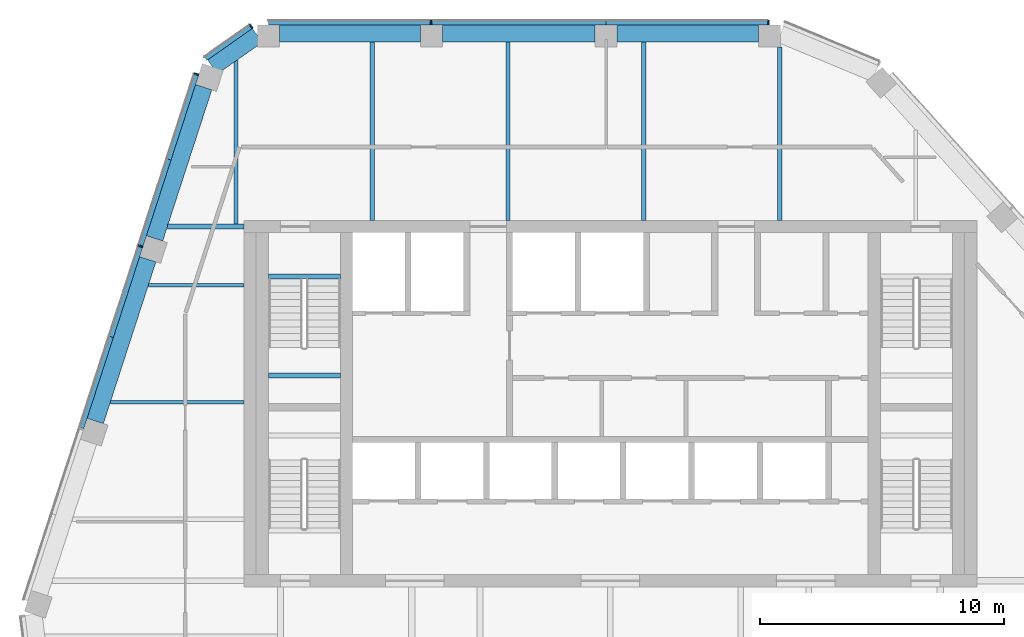
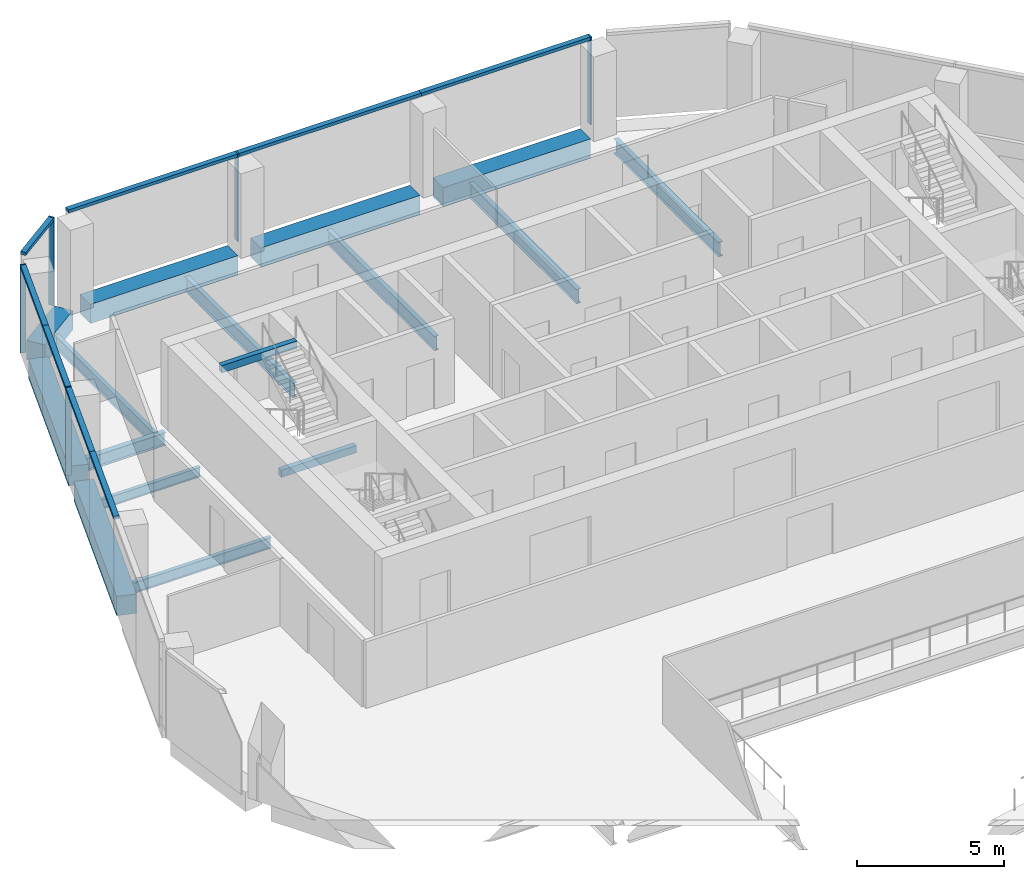
# One storey, part 5 of 15: 16 beams, 13 members, 3 elements without a shape of their own.
"""IFC4 building model written with IfcOpenShell, lengths in metres."""

from ifc_helpers import new_model, si_unit, direction, frame, origin, origin_2d, place, context, subcontext, project, spatial, rectangle, i_section, extrude, material, layer, layer_set, material_profile, profile_set, type_object, element, aggregate, save


model = new_model("IFC4")

# Units and contexts
model_context = context("Model", 3, precision=1e-05, world=origin(), true_north=direction((0.0, 1.0)))
body_context = subcontext(model_context, "Body", "Model", "MODEL_VIEW")
ifc_project = project(units=[si_unit("LENGTHUNIT", "METRE"), si_unit("AREAUNIT", "SQUARE_METRE"), si_unit("VOLUMEUNIT", "CUBIC_METRE"), si_unit("PLANEANGLEUNIT", "RADIAN"), si_unit("MASSUNIT", "GRAM", prefix="KILO")], contexts=[model_context])

# Site, building, storey
site_placement = place(None, origin())
site = spatial("IfcSite", under=ifc_project, at=site_placement, CompositionType="ELEMENT")
building_placement = place(site_placement, origin())
building = spatial("IfcBuilding", under=site, at=building_placement, Name="Isthmus Gate Tower", CompositionType="ELEMENT")
storey_placement = place(building_placement, frame((0.0, 0.0, 268.25)))
storey = spatial("IfcBuildingStorey", under=building, at=storey_placement, Name="L68", CompositionType="ELEMENT", Elevation=268.25)

# Curtain wall, members
ifc_material_1 = material(Name="Aluminium, pale champagne anodised", Category="aluminium")
ifc_layer = layer(ifc_material_1, 0.199951171875)
ifc_layer_set = layer_set([ifc_layer], Name="CW-1 UNITISED CURTAIN WALL 200 DEEP")
curtain_wall_type = type_object("IfcCurtainWallType", Name="CW-1 UNITISED CURTAIN WALL 200 DEEP", PredefinedType="NOTDEFINED", material=ifc_layer_set)
curtain_wall_1_placement = place(storey_placement, origin())
curtain_wall_1 = element("IfcCurtainWall", 1, at=curtain_wall_1_placement, inside=storey, type_object=curtain_wall_type, Name="CW-1 N L68", PredefinedType="NOTDEFINED")
ifc_material_2 = material(Name="Aluminium, pale champagne anodised", Category="aluminium")
ifc_material_profile_1 = material_profile(ifc_material_2, rectangle(XDim=0.06005859375, YDim=0.199951171875, at=origin_2d()), Name="60x200")
ifc_profile_set_1 = profile_set([ifc_material_profile_1], Name="Aluminium, pale champagne anodised")
member_type_1 = type_object("IfcMemberType", Name="CW-1 MULLION 60 X 200", PredefinedType="MULLION", material=ifc_profile_set_1)
member_1_placement = place(storey_placement, frame((6.4794921875, 23.10009765625, 0.0), z_axis=(0.0, 0.0, 1.0), x_axis=(-1.0, 0.0, 0.0)))
member_1 = element("IfcMember", 2, at=member_1_placement, type_object=member_type_1, Name="CW-1 mullion", PredefinedType="MULLION", context=body_context, shape_type="SweptSolid", body=[
    extrude(rectangle(XDim=0.06005859375, YDim=0.199951171875, at=origin_2d()), origin(), (0.0, 0.0, 1.0), 3.64990234375),
])
member_2_placement = place(storey_placement, frame((-7.339599609375, 23.10009765625, 0.0), z_axis=(0.0, 0.0, 1.0), x_axis=(-1.0, 0.0, 0.0)))
member_2 = element("IfcMember", 3, at=member_2_placement, type_object=member_type_1, Name="CW-1 mullion", PredefinedType="MULLION", context=body_context, shape_type="SweptSolid", body=[
    extrude(rectangle(XDim=0.06005859375, YDim=0.199951171875, at=origin_2d()), origin(), (0.0, 0.0, 1.0), 3.64990234375),
])

# Curtain wall, member
curtain_wall_2_placement = place(storey_placement, origin())
curtain_wall_2 = element("IfcCurtainWall", 4, at=curtain_wall_2_placement, inside=storey, type_object=curtain_wall_type, Name="CW-1 N-NW L68", PredefinedType="NOTDEFINED")
member_3_placement = place(storey_placement, frame((-14.69873046875, 22.943115234375, 0.0), z_axis=(0.0, 0.0, 1.0), x_axis=(-0.81785959165, -0.57541783805, 0.0)))
member_3 = element("IfcMember", 5, at=member_3_placement, type_object=member_type_1, Name="CW-1 mullion", PredefinedType="MULLION", context=body_context, shape_type="SweptSolid", body=[
    extrude(rectangle(XDim=0.06005859375, YDim=0.199951171875, at=origin_2d()), origin(), (0.0, 0.0, 1.0), 3.64990234375),
])

# Curtain wall, members
curtain_wall_3_placement = place(storey_placement, origin())
curtain_wall_3 = element("IfcCurtainWall", 6, at=curtain_wall_3_placement, inside=storey, type_object=curtain_wall_type, Name="CW-1 NW L68", PredefinedType="NOTDEFINED")
member_4_placement = place(storey_placement, frame((-16.9404296875, 20.9892578125, 0.0), z_axis=(0.0, 0.0, 1.0), x_axis=(-0.309016994375, -0.951056516295, 0.0)))
member_4 = element("IfcMember", 7, at=member_4_placement, type_object=member_type_1, Name="CW-1 mullion", PredefinedType="MULLION", context=body_context, shape_type="SweptSolid", body=[
    extrude(rectangle(XDim=0.06005859375, YDim=0.199951171875, at=origin_2d()), origin(), (0.0, 0.0, 1.0), 3.64990234375),
])
member_5_placement = place(storey_placement, frame((-19.229248046875, 13.945068359375, 0.0), z_axis=(0.0, 0.0, 1.0), x_axis=(-0.309016994375, -0.951056516295, 0.0)))
member_5 = element("IfcMember", 8, at=member_5_placement, type_object=member_type_1, Name="CW-1 mullion", PredefinedType="MULLION", context=body_context, shape_type="SweptSolid", body=[
    extrude(rectangle(XDim=0.06005859375, YDim=0.199951171875, at=origin_2d()), origin(), (0.0, 0.0, 1.0), 3.64990234375),
])

# Member
ifc_material_3 = material(Name="Aluminium, pale champagne anodised", Category="aluminium")
ifc_material_profile_2 = material_profile(ifc_material_3, rectangle(XDim=0.199951171875, YDim=0.1298828125, at=origin_2d()), Name="200x130")
ifc_profile_set_2 = profile_set([ifc_material_profile_2], Name="Aluminium, pale champagne anodised")
member_type_2 = type_object("IfcMemberType", Name="CW-1 TRANSOM 200 X 130", PredefinedType="USERDEFINED", material=ifc_profile_set_2)
member_6_placement = place(storey_placement, frame((6.449462890625, 23.10009765625, 3.5849609375), z_axis=(-1.0, 0.0, 0.0), x_axis=(0.0, -1.0, 0.0)))
member_6 = element("IfcMember", 9, at=member_6_placement, type_object=member_type_2, Name="CW-1 transom", ObjectType="TRANSOM", PredefinedType="USERDEFINED", context=body_context, shape_type="SweptSolid", body=[
    extrude(rectangle(XDim=0.199951171875, YDim=0.1298828125, at=origin_2d()), origin(), (0.0, 0.0, 1.0), 6.62451171875),
])

member_7_placement = place(storey_placement, frame((-0.175048828125, 23.10009765625, 3.5849609375), z_axis=(-1.0, 0.0, 0.0), x_axis=(0.0, -1.0, 0.0)))
member_7 = element("IfcMember", 10, at=member_7_placement, type_object=member_type_2, Name="CW-1 transom", ObjectType="TRANSOM", PredefinedType="USERDEFINED", context=body_context, shape_type="SweptSolid", body=[
    extrude(rectangle(XDim=0.199951171875, YDim=0.1298828125, at=origin_2d()), origin(), (0.0, 0.0, 1.0), 7.134521484375),
])

member_8_placement = place(storey_placement, frame((-7.36962890625, 23.10009765625, 3.5849609375), z_axis=(-1.0, 0.0, 0.0), x_axis=(0.0, -1.0, 0.0)))
member_8 = element("IfcMember", 11, at=member_8_placement, type_object=member_type_2, Name="CW-1 transom", ObjectType="TRANSOM", PredefinedType="USERDEFINED", context=body_context, shape_type="SweptSolid", body=[
    extrude(rectangle(XDim=0.199951171875, YDim=0.1298828125, at=origin_2d()), origin(), (0.0, 0.0, 1.0), 6.62451171875),
])

aggregate(curtain_wall_1, [member_1, member_6, member_7, member_2, member_8])

member_9_placement = place(storey_placement, frame((-14.723388671875, 22.92578125, 3.5849609375), z_axis=(-0.817868595604, -0.575405040233, 0.0), x_axis=(0.575405040233, -0.817868595604, 0.0)))
member_9 = element("IfcMember", 12, at=member_9_placement, type_object=member_type_2, Name="CW-1 transom", ObjectType="TRANSOM", PredefinedType="USERDEFINED", context=body_context, shape_type="SweptSolid", body=[
    extrude(rectangle(XDim=0.199951171875, YDim=0.1298828125, at=origin_2d()), origin(), (0.0, 0.0, 1.0), 2.258544921875),
])

aggregate(curtain_wall_2, [member_3, member_9])

member_10_placement = place(storey_placement, frame((-16.94970703125, 20.960693359375, 3.5849609375), z_axis=(-0.30904213216, -0.951048348166, 0.0), x_axis=(0.951048348166, -0.30904213216, 0.0)))
member_10 = element("IfcMember", 13, at=member_10_placement, type_object=member_type_2, Name="CW-1 transom", ObjectType="TRANSOM", PredefinedType="USERDEFINED", context=body_context, shape_type="SweptSolid", body=[
    extrude(rectangle(XDim=0.199951171875, YDim=0.1298828125, at=origin_2d()), origin(), (0.0, 0.0, 1.0), 3.6435546875),
])

member_11_placement = place(storey_placement, frame((-18.07568359375, 17.49560546875, 3.5849609375), z_axis=(-0.308999609488, -0.951062164812, 0.0), x_axis=(0.951062164812, -0.308999609488, 0.0)))
member_11 = element("IfcMember", 14, at=member_11_placement, type_object=member_type_2, Name="CW-1 transom", ObjectType="TRANSOM", PredefinedType="USERDEFINED", context=body_context, shape_type="SweptSolid", body=[
    extrude(rectangle(XDim=0.199951171875, YDim=0.1298828125, at=origin_2d()), origin(), (0.0, 0.0, 1.0), 3.703125),
])

member_12_placement = place(storey_placement, frame((-19.238525390625, 13.91650390625, 3.5849609375), z_axis=(-0.309061811928, -0.951041953022, 0.0), x_axis=(0.951041953022, -0.309061811928, 0.0)))
member_12 = element("IfcMember", 15, at=member_12_placement, type_object=member_type_2, Name="CW-1 transom", ObjectType="TRANSOM", PredefinedType="USERDEFINED", context=body_context, shape_type="SweptSolid", body=[
    extrude(rectangle(XDim=0.199951171875, YDim=0.1298828125, at=origin_2d()), origin(), (0.0, 0.0, 1.0), 3.868408203125),
])

member_13_placement = place(storey_placement, frame((-20.43408203125, 10.237548828125, 3.5849609375), z_axis=(-0.308984896154, -0.951066945041, 0.0), x_axis=(0.951066945041, -0.308984896154, 0.0)))
member_13 = element("IfcMember", 16, at=member_13_placement, type_object=member_type_2, Name="CW-1 transom", ObjectType="TRANSOM", PredefinedType="USERDEFINED", context=body_context, shape_type="SweptSolid", body=[
    extrude(rectangle(XDim=0.199951171875, YDim=0.1298828125, at=origin_2d()), origin(), (0.0, 0.0, 1.0), 3.928466796875),
])

aggregate(curtain_wall_3, [member_4, member_10, member_11, member_5, member_12, member_13])

# Beams
ifc_material_4 = material(Name="Concrete f'c 50 MPa", Category="concrete")
ifc_material_profile_3 = material_profile(ifc_material_4, rectangle(XDim=0.699951171875, YDim=0.800048828125, at=origin_2d()), Name="RC 700X800")
ifc_profile_set_3 = profile_set([ifc_material_profile_3], Name="Concrete f'c 50 MPa")
beam_type_1 = type_object("IfcBeamType", Name="RC SPANDREL 700 X 800", PredefinedType="SPANDREL", material=ifc_profile_set_3)
beam_1_placement = place(storey_placement, frame((-21.080810546875, 6.790283203125, -0.39990234375), z_axis=(0.309006716915, 0.951059855583, 0.0), x_axis=(-0.951059855583, 0.309006716915, 0.0)))
element("IfcBeam", 17, at=beam_1_placement, inside=storey, type_object=beam_type_1, Name="str-spandrel-L68-18", PredefinedType="SPANDREL", context=body_context, shape_type="SweptSolid", body=[
    extrude(rectangle(XDim=0.699951171875, YDim=0.800048828125, at=origin_2d()), origin(), (0.0, 0.0, 1.0), 6.956787109375),
])
beam_2_placement = place(storey_placement, frame((-18.653076171875, 14.262451171875, -0.39990234375), z_axis=(0.30901480678, 0.951057227085, 0.0), x_axis=(-0.951057227085, 0.30901480678, 0.0)))
element("IfcBeam", 18, at=beam_2_placement, inside=storey, type_object=beam_type_1, Name="str-spandrel-L68-19", PredefinedType="SPANDREL", context=body_context, shape_type="SweptSolid", body=[
    extrude(rectangle(XDim=0.699951171875, YDim=0.800048828125, at=origin_2d()), origin(), (0.0, 0.0, 1.0), 6.5068359375),
])
beam_3_placement = place(storey_placement, frame((-16.281005859375, 21.27978515625, -0.39990234375), z_axis=(0.817891678431, 0.57537222939, 0.0), x_axis=(-0.57537222939, 0.817891678431, 0.0)))
element("IfcBeam", 19, at=beam_3_placement, inside=storey, type_object=beam_type_1, Name="str-spandrel-L68-20", PredefinedType="SPANDREL", context=body_context, shape_type="SweptSolid", body=[
    extrude(rectangle(XDim=0.699951171875, YDim=0.800048828125, at=origin_2d()), origin(), (0.0, 0.0, 1.0), 2.245849609375),
])
beam_4_placement = place(storey_placement, frame((-13.544189453125, 22.64990234375, -0.39990234375), z_axis=(1.0, 0.0, 0.0), x_axis=(0.0, 1.0, 0.0)))
element("IfcBeam", 20, at=beam_4_placement, inside=storey, type_object=beam_type_1, Name="str-spandrel-L68-21", PredefinedType="SPANDREL", context=body_context, shape_type="SweptSolid", body=[
    extrude(rectangle(XDim=0.699951171875, YDim=0.800048828125, at=origin_2d()), origin(), (0.0, 0.0, 1.0), 5.78466796875),
])
beam_5_placement = place(storey_placement, frame((-6.859619140625, 22.64990234375, -0.39990234375), z_axis=(1.0, 0.0, 0.0), x_axis=(0.0, 1.0, 0.0)))
element("IfcBeam", 21, at=beam_5_placement, inside=storey, type_object=beam_type_1, Name="str-spandrel-L68-22", PredefinedType="SPANDREL", context=body_context, shape_type="SweptSolid", body=[
    extrude(rectangle(XDim=0.699951171875, YDim=0.800048828125, at=origin_2d()), origin(), (0.0, 0.0, 1.0), 6.234619140625),
])
beam_6_placement = place(storey_placement, frame((0.27490234375, 22.64990234375, -0.39990234375), z_axis=(1.0, 0.0, 0.0), x_axis=(0.0, 1.0, 0.0)))
element("IfcBeam", 22, at=beam_6_placement, inside=storey, type_object=beam_type_1, Name="str-spandrel-L68-23", PredefinedType="SPANDREL", context=body_context, shape_type="SweptSolid", body=[
    extrude(rectangle(XDim=0.699951171875, YDim=0.800048828125, at=origin_2d()), origin(), (0.0, 0.0, 1.0), 5.784423828125),
])
ifc_material_5 = material(Name="Concrete f'c 40 MPa", Category="concrete")
ifc_material_profile_4 = material_profile(ifc_material_5, rectangle(XDim=0.199951171875, YDim=0.300048828125, at=origin_2d()), Name="STAIR LANDING BEAM RC 200 X 300")
ifc_profile_set_4 = profile_set([ifc_material_profile_4], Name="Concrete f'c 40 MPa")
beam_type_2 = type_object("IfcBeamType", Name="STAIR LANDING BEAM RC 200 X 300", PredefinedType="BEAM", material=ifc_profile_set_4)
for number, where, z_axis, x_axis, name in (
    (23, (-14.0, 8.64990234375, 1.47509765625), (1.0, 0.0, 0.0), (0.0, 1.0, 0.0), "L68 ST1 landing beam 1"),
    (24, (-14.0, 12.7001953125, 3.35009765625), (1.0, 0.0, 0.0), (0.0, 1.0, 0.0), "L68 ST1 floor-edge seat beam"),
):
    element("IfcBeam", number, at=place(storey_placement, frame(where, z_axis=z_axis, x_axis=x_axis)), inside=storey, type_object=beam_type_2, Name=name, PredefinedType="BEAM", context=body_context, shape_type="SweptSolid", body=[
        extrude(rectangle(XDim=0.199951171875, YDim=0.300048828125, at=origin_2d()), origin(), (0.0, 0.0, 1.0), 2.949951171875),
    ])
ifc_material_6 = material(Name="Structural steel ASTM A992 Gr 50", Category="steel")
ifc_material_profile_5 = material_profile(ifc_material_6, i_section(OverallWidth=0.1396484375, OverallDepth=0.4033203125, WebThickness=0.00634765625, FlangeThickness=0.010986328125, at=origin_2d()), Name="W16X31")
ifc_profile_set_5 = profile_set([ifc_material_profile_5], Name="Structural steel ASTM A992 Gr 50")
beam_type_3 = type_object("IfcBeamType", Name="STEEL FLOOR BEAM W16X31", PredefinedType="JOIST", material=ifc_profile_set_5)
beam_7_placement = place(storey_placement, frame((-18.905517578125, 12.352294921875, -0.3515625), z_axis=(1.0, 0.0, 0.0), x_axis=(0.0, 1.0, 0.0)))
element("IfcBeam", 25, at=beam_7_placement, inside=storey, type_object=beam_type_3, Name="str-beam-L68-00-02", PredefinedType="JOIST", context=body_context, shape_type="SweptSolid", body=[
    extrude(i_section(OverallWidth=0.1396484375, OverallDepth=0.4033203125, WebThickness=0.00634765625, FlangeThickness=0.010986328125, at=origin_2d()), origin(), (0.0, 0.0, 1.0), 3.905517578125),
])
ifc_material_7 = material(Name="Structural steel ASTM A992 Gr 50", Category="steel")
ifc_material_profile_6 = material_profile(ifc_material_7, i_section(OverallWidth=0.15234375, OverallDepth=0.45068359375, WebThickness=0.0078125, FlangeThickness=0.010986328125, at=origin_2d()), Name="W18X35")
ifc_profile_set_6 = profile_set([ifc_material_profile_6], Name="Structural steel ASTM A992 Gr 50")
beam_type_4 = type_object("IfcBeamType", Name="STEEL FLOOR BEAM W18X35", PredefinedType="JOIST", material=ifc_profile_set_6)
beam_8_placement = place(storey_placement, frame((-20.463623046875, 7.55712890625, -0.37548828125), z_axis=(1.0, 0.0, 0.0), x_axis=(0.0, 1.0, 0.0)))
element("IfcBeam", 26, at=beam_8_placement, inside=storey, type_object=beam_type_4, Name="str-beam-L68-00-01", PredefinedType="JOIST", context=body_context, shape_type="SweptSolid", body=[
    extrude(i_section(OverallWidth=0.15234375, OverallDepth=0.45068359375, WebThickness=0.0078125, FlangeThickness=0.010986328125, at=origin_2d()), origin(), (0.0, 0.0, 1.0), 5.463623046875),
])
ifc_material_8 = material(Name="Structural steel ASTM A992 Gr 50", Category="steel")
ifc_material_profile_7 = material_profile(ifc_material_8, i_section(OverallWidth=0.1650390625, OverallDepth=0.52392578125, WebThickness=0.009521484375, FlangeThickness=0.010986328125, at=origin_2d()), Name="W21X44")
ifc_profile_set_7 = profile_set([ifc_material_profile_7], Name="Structural steel ASTM A992 Gr 50")
beam_type_5 = type_object("IfcBeamType", Name="STEEL FLOOR BEAM W21X44", PredefinedType="JOIST", material=ifc_profile_set_7)
beam_9_placement = place(storey_placement, frame((-15.311767578125, 14.854736328125, -0.411865234375), z_axis=(0.0, 1.0, 0.0), x_axis=(-1.0, 0.0, 0.0)))
element("IfcBeam", 27, at=beam_9_placement, inside=storey, type_object=beam_type_5, Name="str-beam-L68-07-00", PredefinedType="JOIST", context=body_context, shape_type="SweptSolid", body=[
    extrude(i_section(OverallWidth=0.1650390625, OverallDepth=0.52392578125, WebThickness=0.009521484375, FlangeThickness=0.010986328125, at=origin_2d()), origin(), (0.0, 0.0, 1.0), 6.678955078125),
])
ifc_material_9 = material(Name="Structural steel ASTM A992 Gr 50", Category="steel")
ifc_material_profile_8 = material_profile(ifc_material_9, i_section(OverallWidth=0.177734375, OverallDepth=0.60009765625, WebThickness=0.009521484375, FlangeThickness=0.0126953125, at=origin_2d()), Name="W24X55")
ifc_profile_set_8 = profile_set([ifc_material_profile_8], Name="Structural steel ASTM A992 Gr 50")
beam_type_6 = type_object("IfcBeamType", Name="STEEL FLOOR BEAM W24X55", PredefinedType="JOIST", material=ifc_profile_set_8)
for number, where, z_axis, x_axis, name in (
    (28, (-9.750244140625, 15.0, -0.449951171875), (0.0, 1.0, 0.0), (-1.0, 0.0, 0.0), "str-beam-L68-07-01"),
    (29, (-4.188720703125, 15.0, -0.449951171875), (0.0, 1.0, 0.0), (-1.0, 0.0, 0.0), "str-beam-L68-07-02"),
    (30, (1.372802734375, 15.0, -0.449951171875), (0.0, 1.0, 0.0), (-1.0, 0.0, 0.0), "str-beam-L68-07-03"),
):
    element("IfcBeam", number, at=place(storey_placement, frame(where, z_axis=z_axis, x_axis=x_axis)), inside=storey, type_object=beam_type_6, Name=name, PredefinedType="JOIST", context=body_context, shape_type="SweptSolid", body=[
        extrude(i_section(OverallWidth=0.177734375, OverallDepth=0.60009765625, WebThickness=0.009521484375, FlangeThickness=0.0126953125, at=origin_2d()), origin(), (0.0, 0.0, 1.0), 7.300048828125),
    ])
beam_10_placement = place(storey_placement, frame((6.93408203125, 15.0, -0.449951171875), z_axis=(0.0, 1.0, 0.0), x_axis=(-1.0, 0.0, 0.0)))
element("IfcBeam", 31, at=beam_10_placement, inside=storey, type_object=beam_type_6, Name="str-beam-L68-07-04", PredefinedType="JOIST", context=body_context, shape_type="SweptSolid", body=[
    extrude(i_section(OverallWidth=0.177734375, OverallDepth=0.60009765625, WebThickness=0.009521484375, FlangeThickness=0.0126953125, at=origin_2d()), origin(), (0.0, 0.0, 1.0), 7.10009765625),
])
ifc_material_10 = material(Name="Structural steel ASTM A992 Gr 50", Category="steel")
ifc_material_profile_9 = material_profile(ifc_material_10, i_section(OverallWidth=0.20947265625, OverallDepth=0.533447265625, WebThickness=0.009521484375, FlangeThickness=0.015869140625, at=origin_2d()), Name="W21X62")
ifc_profile_set_9 = profile_set([ifc_material_profile_9], Name="Structural steel ASTM A992 Gr 50")
beam_type_7 = type_object("IfcBeamType", Name="STEEL GIRDER W21X62", PredefinedType="BEAM", material=ifc_profile_set_9)
beam_11_placement = place(storey_placement, frame((-15.0, 14.75, -0.416748046875), z_axis=(-1.0, 0.0, 0.0), x_axis=(0.0, -1.0, 0.0)))
element("IfcBeam", 32, at=beam_11_placement, inside=storey, type_object=beam_type_7, Name="str-girder-L68-11", PredefinedType="BEAM", context=body_context, shape_type="SweptSolid", body=[
    extrude(i_section(OverallWidth=0.20947265625, OverallDepth=0.533447265625, WebThickness=0.009521484375, FlangeThickness=0.015869140625, at=origin_2d()), origin(), (0.0, 0.0, 1.0), 3.12646484375),
])

save(model, "model.ifc")
